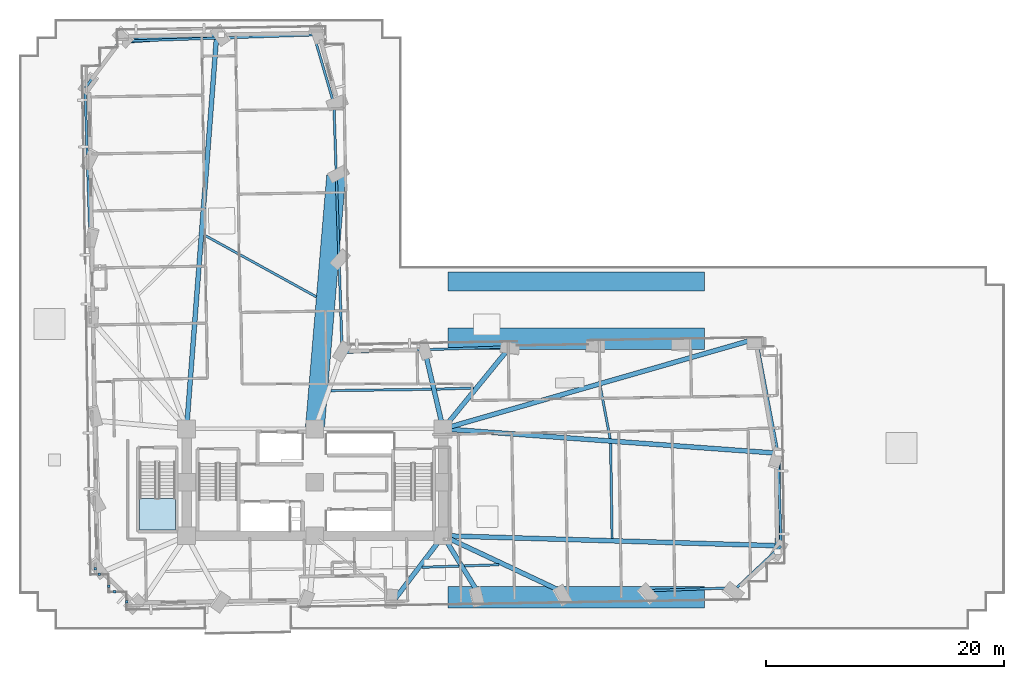
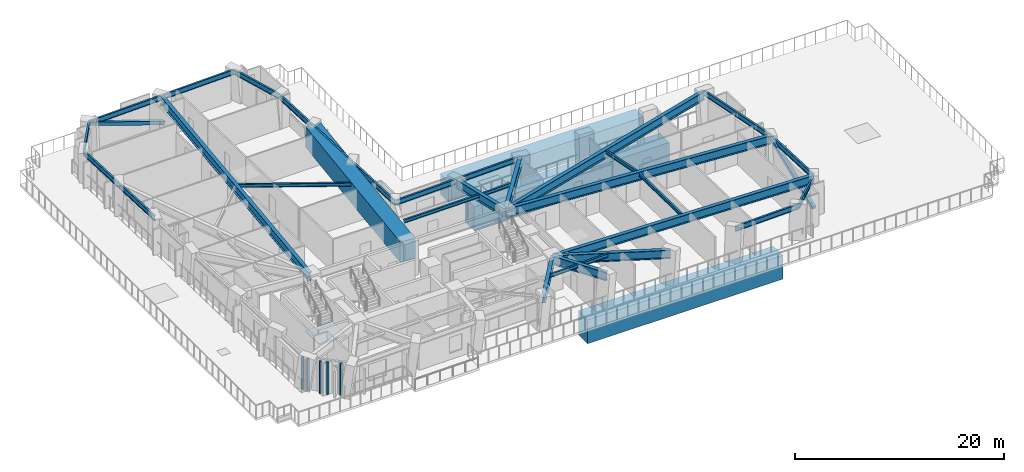
# One storey, part 2 of 17: 35 beams, 5 plates, 2 members, 1 slab, 1 element without a shape of its own.
"""IFC4 building model written with IfcOpenShell, lengths in metres."""

from ifc_helpers import new_model, si_unit, direction, frame, origin, origin_2d, place, context, subcontext, project, spatial, polyline, rectangle, hollow_rectangle, i_section, outline, extrude, material, layer, layer_set, material_profile, profile_set, type_object, element, aggregate, save


model = new_model("IFC4")

# Units and contexts
model_context = context("Model", 3, precision=1e-05, world=origin(), true_north=direction((0.0, 1.0)))
body_context = subcontext(model_context, "Body", "Model", "MODEL_VIEW")
ifc_project = project(units=[si_unit("LENGTHUNIT", "METRE"), si_unit("AREAUNIT", "SQUARE_METRE"), si_unit("VOLUMEUNIT", "CUBIC_METRE"), si_unit("PLANEANGLEUNIT", "RADIAN"), si_unit("MASSUNIT", "GRAM", prefix="KILO")], contexts=[model_context])

# Site, building, storey
site_placement = place(None, origin())
site = spatial("IfcSite", under=ifc_project, at=site_placement, CompositionType="ELEMENT")
building_placement = place(site_placement, origin())
building = spatial("IfcBuilding", under=site, at=building_placement, Name="Gaonmaruhae Medical Tower", CompositionType="ELEMENT")
storey_placement = place(building_placement, frame((0.0, 0.0, 27.0)))
storey = spatial("IfcBuildingStorey", under=building, at=storey_placement, Name="L05", CompositionType="ELEMENT", Elevation=27.0)

# Beams
ifc_material_1 = material(Name="Steel SM420", Category="steel")
ifc_material_profile_1 = material_profile(ifc_material_1, i_section(OverallWidth=0.39990234375, OverallDepth=1.0, WebThickness=0.02197265625, FlangeThickness=0.035888671875, at=origin_2d()), Name="BH-1000x400x22x36")
ifc_profile_set_1 = profile_set([ifc_material_profile_1], Name="Steel SM420")
beam_type_1 = type_object("IfcBeamType", Name="BG-02 Refuge Floor Primary Girder (BH-1000x400x22x36)", PredefinedType="BEAM", material=ifc_profile_set_1)
beam_1_placement = place(storey_placement, frame((35.569580078125, 7.76025390625, 3.260009765625), z_axis=(-0.605971894847, -0.795486054344, 0.0), x_axis=(0.795486054344, -0.605971894847, 0.0)))
element("IfcBeam", 1, at=beam_1_placement, inside=storey, type_object=beam_type_1, Name="L05 Radial Primary Girder S04", PredefinedType="BEAM", context=body_context, shape_type="SweptSolid", body=[
    extrude(i_section(OverallWidth=0.39990234375, OverallDepth=1.0, WebThickness=0.02197265625, FlangeThickness=0.035888671875, at=origin_2d()), origin(), (0.0, 0.0, 1.0), 6.60107421875),
])
beam_2_placement = place(storey_placement, frame((35.626220703125, 7.75732421875, 3.280029296875), z_axis=(0.524317500646, -0.851522846738, 0.0), x_axis=(0.851522846738, 0.524317500646, 0.0)))
element("IfcBeam", 2, at=beam_2_placement, inside=storey, type_object=beam_type_1, Name="L05 Radial Primary Girder S05", PredefinedType="BEAM", context=body_context, shape_type="SweptSolid", body=[
    extrude(i_section(OverallWidth=0.39990234375, OverallDepth=1.0, WebThickness=0.02197265625, FlangeThickness=0.035888671875, at=origin_2d()), origin(), (0.0, 0.0, 1.0), 5.879638671875),
])
beam_3_placement = place(storey_placement, frame((35.645263671875, 7.77880859375, 3.280029296875), z_axis=(0.905103595677, -0.425191111258, 0.0), x_axis=(0.425191111258, 0.905103595677, 0.0)))
element("IfcBeam", 3, at=beam_3_placement, inside=storey, type_object=beam_type_1, Name="L05 Radial Primary Girder S06", PredefinedType="BEAM", context=body_context, shape_type="SweptSolid", body=[
    extrude(i_section(OverallWidth=0.39990234375, OverallDepth=1.0, WebThickness=0.02197265625, FlangeThickness=0.035888671875, at=origin_2d()), origin(), (0.0, 0.0, 1.0), 11.314453125),
])
beam_4_placement = place(storey_placement, frame((35.64990234375, 7.798583984375, 3.280029296875), z_axis=(0.999554346381, -0.029851442682, 0.0), x_axis=(0.029851442682, 0.999554346381, 0.0)))
element("IfcBeam", 4, at=beam_4_placement, inside=storey, type_object=beam_type_1, Name="L05 Radial Primary Girder E01", PredefinedType="BEAM", context=body_context, shape_type="SweptSolid", body=[
    extrude(i_section(OverallWidth=0.39990234375, OverallDepth=1.0, WebThickness=0.02197265625, FlangeThickness=0.035888671875, at=origin_2d()), origin(), (0.0, 0.0, 1.0), 28.371337890625),
])
beam_5_placement = place(storey_placement, frame((35.64990234375, 16.79638671875, 3.280029296875), z_axis=(0.997357512727, -0.07264978876, 0.0), x_axis=(0.07264978876, 0.997357512727, 0.0)))
element("IfcBeam", 5, at=beam_5_placement, inside=storey, type_object=beam_type_1, Name="L05 Radial Primary Girder E02", PredefinedType="BEAM", context=body_context, shape_type="SweptSolid", body=[
    extrude(i_section(OverallWidth=0.39990234375, OverallDepth=1.0, WebThickness=0.02197265625, FlangeThickness=0.035888671875, at=origin_2d()), origin(), (0.0, 0.0, 1.0), 28.174560546875),
])
beam_6_placement = place(storey_placement, frame((35.64794921875, 16.813720703125, 3.280029296875), z_axis=(0.961003140383, 0.276537455283, 0.0), x_axis=(-0.276537455283, 0.961003140383, 0.0)))
element("IfcBeam", 6, at=beam_6_placement, inside=storey, type_object=beam_type_1, Name="L05 Radial Primary Girder E03", PredefinedType="BEAM", context=body_context, shape_type="SweptSolid", body=[
    extrude(i_section(OverallWidth=0.39990234375, OverallDepth=1.0, WebThickness=0.02197265625, FlangeThickness=0.035888671875, at=origin_2d()), origin(), (0.0, 0.0, 1.0), 27.349853515625),
])
beam_7_placement = place(storey_placement, frame((35.631591796875, 16.838623046875, 3.280029296875), z_axis=(0.632758029161, 0.774349582896, 0.0), x_axis=(-0.774349582896, 0.632758029161, 0.0)))
element("IfcBeam", 7, at=beam_7_placement, inside=storey, type_object=beam_type_1, Name="L05 Radial Primary Girder EN03", PredefinedType="BEAM", context=body_context, shape_type="SweptSolid", body=[
    extrude(i_section(OverallWidth=0.39990234375, OverallDepth=1.0, WebThickness=0.02197265625, FlangeThickness=0.035888671875, at=origin_2d()), origin(), (0.0, 0.0, 1.0), 8.814453125),
])
beam_8_placement = place(storey_placement, frame((35.588623046875, 16.8486328125, 3.280029296875), z_axis=(-0.22729943214, 0.973824916578, 0.0), x_axis=(-0.973824916578, -0.22729943214, 0.0)))
element("IfcBeam", 8, at=beam_8_placement, inside=storey, type_object=beam_type_1, Name="L05 Radial Primary Girder EN04", PredefinedType="BEAM", context=body_context, shape_type="SweptSolid", body=[
    extrude(i_section(OverallWidth=0.39990234375, OverallDepth=1.0, WebThickness=0.02197265625, FlangeThickness=0.035888671875, at=origin_2d()), origin(), (0.0, 0.0, 1.0), 6.7431640625),
])
beam_9_placement = place(storey_placement, frame((14.00390625, 16.849853515625, 3.280029296875), z_axis=(0.076225966693, 0.997090568605, 0.0), x_axis=(-0.997090568605, 0.076225966693, 0.0)))
element("IfcBeam", 9, at=beam_9_placement, inside=storey, type_object=beam_type_1, Name="L05 Radial Primary Girder N02", PredefinedType="BEAM", context=body_context, shape_type="SweptSolid", body=[
    extrude(i_section(OverallWidth=0.39990234375, OverallDepth=1.0, WebThickness=0.02197265625, FlangeThickness=0.035888671875, at=origin_2d()), origin(), (0.0, 0.0, 1.0), 32.893310546875),
])
ifc_material_2 = material(Name="Steel SM355", Category="steel")
ifc_material_profile_2 = material_profile(ifc_material_2, i_section(OverallWidth=0.199951171875, OverallDepth=0.39990234375, WebThickness=0.008056640625, FlangeThickness=0.012939453125, FilletRadius=0.012939453125, at=origin_2d()), Name="H-400x200x8x13")
ifc_profile_set_2 = profile_set([ifc_material_profile_2], Name="Steel SM355")
beam_type_2 = type_object("IfcBeamType", Name="FJ-01 Lower Zone Ward Floor Joist (H-400x200x8x13)", PredefinedType="JOIST", material=ifc_profile_set_2)
beam_10_placement = place(storey_placement, frame((33.83349609375, 5.1435546875, 3.580078125), z_axis=(0.999450052759, 0.033160097109, 0.0), x_axis=(-0.033160097109, 0.999450052759, 0.0)))
element("IfcBeam", 10, at=beam_10_placement, inside=storey, type_object=beam_type_2, Name="L05 Secondary Floor Joist FJ04", PredefinedType="JOIST", context=body_context, shape_type="SweptSolid", body=[
    extrude(i_section(OverallWidth=0.199951171875, OverallDepth=0.39990234375, WebThickness=0.008056640625, FlangeThickness=0.012939453125, FilletRadius=0.012939453125, at=origin_2d()), origin(), (0.0, 0.0, 1.0), 3.099609375),
])
beam_11_placement = place(storey_placement, frame((37.40380859375, 5.261962890625, 3.580078125), z_axis=(0.999451018624, 0.033130972993, 0.0), x_axis=(-0.033130972993, 0.999451018624, 0.0)))
element("IfcBeam", 11, at=beam_11_placement, inside=storey, type_object=beam_type_2, Name="L05 Secondary Floor Joist FJ05", PredefinedType="JOIST", context=body_context, shape_type="SweptSolid", body=[
    extrude(i_section(OverallWidth=0.199951171875, OverallDepth=0.39990234375, WebThickness=0.008056640625, FlangeThickness=0.012939453125, FilletRadius=0.012939453125, at=origin_2d()), origin(), (0.0, 0.0, 1.0), 2.918212890625),
])
beam_12_placement = place(storey_placement, frame((49.826171875, 7.581298828125, 3.580078125), z_axis=(-0.015408187139, 0.999881286838, 0.0), x_axis=(-0.999881286838, -0.015408187139, 0.0)))
element("IfcBeam", 12, at=beam_12_placement, inside=storey, type_object=beam_type_2, Name="L05 Secondary Floor Joist FJ07", PredefinedType="JOIST", context=body_context, shape_type="SweptSolid", body=[
    extrude(i_section(OverallWidth=0.199951171875, OverallDepth=0.39990234375, WebThickness=0.008056640625, FlangeThickness=0.012939453125, FilletRadius=0.012939453125, at=origin_2d()), origin(), (0.0, 0.0, 1.0), 7.98583984375),
])
beam_13_placement = place(storey_placement, frame((49.660400390625, 15.982177734375, 3.580078125), z_axis=(-0.18550697294, 0.982642947866, 0.0), x_axis=(-0.982642947866, -0.18550697294, 0.0)))
element("IfcBeam", 13, at=beam_13_placement, inside=storey, type_object=beam_type_2, Name="L05 Secondary Floor Joist FJ08", PredefinedType="JOIST", context=body_context, shape_type="SweptSolid", body=[
    extrude(i_section(OverallWidth=0.199951171875, OverallDepth=0.39990234375, WebThickness=0.008056640625, FlangeThickness=0.012939453125, FilletRadius=0.012939453125, at=origin_2d()), origin(), (0.0, 0.0, 1.0), 4.48779296875),
])
beam_14_placement = place(storey_placement, frame((38.14892578125, 20.242431640625, 3.580078125), z_axis=(-0.999448983086, -0.033192321519, 0.0), x_axis=(0.033192321519, -0.999448983086, 0.0)))
element("IfcBeam", 14, at=beam_14_placement, inside=storey, type_object=beam_type_2, Name="L05 Secondary Floor Joist FJ10", PredefinedType="JOIST", context=body_context, shape_type="SweptSolid", body=[
    extrude(i_section(OverallWidth=0.199951171875, OverallDepth=0.39990234375, WebThickness=0.008056640625, FlangeThickness=0.012939453125, FilletRadius=0.012939453125, at=origin_2d()), origin(), (0.0, 0.0, 1.0), 3.11865234375),
])
beam_15_placement = place(storey_placement, frame((34.611572265625, 20.129150390625, 3.580078125), z_axis=(-0.999915728164, -0.012982163547, 0.0), x_axis=(0.012982163547, -0.999915728164, 0.0)))
element("IfcBeam", 15, at=beam_15_placement, inside=storey, type_object=beam_type_2, Name="L05 Secondary Floor Joist FJ11", PredefinedType="JOIST", context=body_context, shape_type="SweptSolid", body=[
    extrude(i_section(OverallWidth=0.199951171875, OverallDepth=0.39990234375, WebThickness=0.008056640625, FlangeThickness=0.012939453125, FilletRadius=0.012939453125, at=origin_2d()), origin(), (0.0, 0.0, 1.0), 8.44384765625),
])
beam_16_placement = place(storey_placement, frame((24.928955078125, 27.913818359375, 3.580078125), z_axis=(-0.875616846131, 0.483006354794, 0.0), x_axis=(-0.483006354794, -0.875616846131, 0.0)))
element("IfcBeam", 16, at=beam_16_placement, inside=storey, type_object=beam_type_2, Name="L05 Secondary Floor Joist FJ13", PredefinedType="JOIST", context=body_context, shape_type="SweptSolid", body=[
    extrude(i_section(OverallWidth=0.199951171875, OverallDepth=0.39990234375, WebThickness=0.008056640625, FlangeThickness=0.012939453125, FilletRadius=0.012939453125, at=origin_2d()), origin(), (0.0, 0.0, 1.0), 10.8193359375),
])

# Members
ifc_material_profile_3 = material_profile(ifc_material_1, hollow_rectangle(XDim=0.39990234375, YDim=0.39990234375, WallThickness=0.01611328125, at=origin_2d()), Name="RHS-400x400x16")
ifc_profile_set_3 = profile_set([ifc_material_profile_3], Name="Steel SM420")
member_type = type_object("IfcMemberType", Name="PB-01 Perimeter Solid-Bay Tube Brace Lower (RHS-400x400x16)", PredefinedType="BRACE", material=ifc_profile_set_3)
member_1_placement = place(storey_placement, frame((63.758544921875, 6.447509765625, 0.25), z_axis=(0.004651257277, 0.929977852074, 0.367586126585), x_axis=(-0.999987492878, 0.005001408467, 0.0)))
element("IfcMember", 17, at=member_1_placement, inside=storey, type_object=member_type, Name="L05 Perimeter Tube Solid-Bay Brace E01-E02", PredefinedType="BRACE", context=body_context, shape_type="SweptSolid", body=[
    extrude(hollow_rectangle(XDim=0.39990234375, YDim=0.39990234375, WallThickness=0.01611328125, at=origin_2d()), origin(), (0.0, 0.0, 1.0), 8.923095703125),
])
member_2_placement = place(storey_placement, frame((16.93017578125, 49.97705078125, 0.25), z_axis=(-0.932823913233, -0.059774364, 0.355340079795), x_axis=(0.063947782355, -0.997953245965, 0.0)))
element("IfcMember", 18, at=member_2_placement, inside=storey, type_object=member_type, Name="L05 Perimeter Tube Solid-Bay Brace N02-N03", PredefinedType="BRACE", context=body_context, shape_type="SweptSolid", body=[
    extrude(hollow_rectangle(XDim=0.39990234375, YDim=0.39990234375, WallThickness=0.01611328125, at=origin_2d()), origin(), (0.0, 0.0, 1.0), 9.230712890625),
])

# Beams
ifc_material_profile_4 = material_profile(ifc_material_2, i_section(OverallWidth=0.199951171875, OverallDepth=0.60009765625, WebThickness=0.010986328125, FlangeThickness=0.01708984375, FilletRadius=0.012939453125, at=origin_2d()), Name="H-600x200x11x17")
ifc_profile_set_4 = profile_set([ifc_material_profile_4], Name="Steel SM355")
beam_type_3 = type_object("IfcBeamType", Name="SP-01 Lower Perimeter Spandrel Beam (H-600x200x11x17)", PredefinedType="SPANDREL", material=ifc_profile_set_4)
beam_17_placement = place(storey_placement, frame((53.167236328125, 3.186767578125, 3.47998046875), z_axis=(0.999450146342, 0.033157276366, 0.0), x_axis=(-0.033157276366, 0.999450146342, 0.0)))
element("IfcBeam", 19, at=beam_17_placement, inside=storey, type_object=beam_type_3, Name="L05 Perimeter Spandrel Beam S07-S08", PredefinedType="SPANDREL", context=body_context, shape_type="SweptSolid", body=[
    extrude(i_section(OverallWidth=0.199951171875, OverallDepth=0.60009765625, WebThickness=0.010986328125, FlangeThickness=0.01708984375, FilletRadius=0.012939453125, at=origin_2d()), origin(), (0.0, 0.0, 1.0), 7.1201171875),
])
beam_18_placement = place(storey_placement, frame((60.3525390625, 3.45166015625, 3.47998046875), z_axis=(0.727188538265, 0.686437782917, 0.0), x_axis=(-0.686437782917, 0.727188538265, 0.0)))
element("IfcBeam", 20, at=beam_18_placement, inside=storey, type_object=beam_type_3, Name="L05 Perimeter Spandrel Beam S08-E01", PredefinedType="SPANDREL", context=body_context, shape_type="SweptSolid", body=[
    extrude(i_section(OverallWidth=0.199951171875, OverallDepth=0.60009765625, WebThickness=0.010986328125, FlangeThickness=0.01708984375, FilletRadius=0.012939453125, at=origin_2d()), origin(), (0.0, 0.0, 1.0), 5.056396484375),
])
beam_19_placement = place(storey_placement, frame((64.05712890625, 6.989990234375, 3.47998046875), z_axis=(-0.033142142748, 0.999450648293, 0.0), x_axis=(-0.999450648293, -0.033142142748, 0.0)))
element("IfcBeam", 21, at=beam_19_placement, inside=storey, type_object=beam_type_3, Name="L05 Perimeter Spandrel Beam E01-E02", PredefinedType="SPANDREL", context=body_context, shape_type="SweptSolid", body=[
    extrude(i_section(OverallWidth=0.199951171875, OverallDepth=0.60009765625, WebThickness=0.010986328125, FlangeThickness=0.01708984375, FilletRadius=0.012939453125, at=origin_2d()), origin(), (0.0, 0.0, 1.0), 7.719970703125),
])
beam_20_placement = place(storey_placement, frame((63.79248046875, 14.78515625, 3.47998046875), z_axis=(-0.185504266264, 0.982643458838, 0.0), x_axis=(-0.982643458838, -0.185504266264, 0.0)))
element("IfcBeam", 22, at=beam_20_placement, inside=storey, type_object=beam_type_3, Name="L05 Perimeter Spandrel Beam E02-E03", PredefinedType="SPANDREL", context=body_context, shape_type="SweptSolid", body=[
    extrude(i_section(OverallWidth=0.199951171875, OverallDepth=0.60009765625, WebThickness=0.010986328125, FlangeThickness=0.01708984375, FilletRadius=0.012939453125, at=origin_2d()), origin(), (0.0, 0.0, 1.0), 9.735107421875),
])
beam_21_placement = place(storey_placement, frame((41.20068359375, 23.701416015625, 3.47998046875), z_axis=(-0.999450146342, -0.033157276366, 0.0), x_axis=(0.033157276366, -0.999450146342, 0.0)))
element("IfcBeam", 23, at=beam_21_placement, inside=storey, type_object=beam_type_3, Name="L05 Perimeter Spandrel Beam EN03-EN04", PredefinedType="SPANDREL", context=body_context, shape_type="SweptSolid", body=[
    extrude(i_section(OverallWidth=0.199951171875, OverallDepth=0.60009765625, WebThickness=0.010986328125, FlangeThickness=0.01708984375, FilletRadius=0.012939453125, at=origin_2d()), origin(), (0.0, 0.0, 1.0), 7.1201171875),
])
beam_22_placement = place(storey_placement, frame((34.004638671875, 23.462646484375, 3.47998046875), z_axis=(-0.999450179634, -0.033156272849, 0.0), x_axis=(0.033156272849, -0.999450179634, 0.0)))
element("IfcBeam", 24, at=beam_22_placement, inside=storey, type_object=beam_type_3, Name="L05 Perimeter Spandrel Beam EN04-KN01", PredefinedType="SPANDREL", context=body_context, shape_type="SweptSolid", body=[
    extrude(i_section(OverallWidth=0.199951171875, OverallDepth=0.60009765625, WebThickness=0.010986328125, FlangeThickness=0.01708984375, FilletRadius=0.012939453125, at=origin_2d()), origin(), (0.0, 0.0, 1.0), 6.869873046875),
])
beam_23_placement = place(storey_placement, frame((27.096923828125, 23.2734375, 3.47998046875), z_axis=(-0.033134661882, 0.999450896334, 0.0), x_axis=(-0.999450896334, -0.033134661882, 0.0)))
element("IfcBeam", 25, at=beam_23_placement, inside=storey, type_object=beam_type_3, Name="L05 Perimeter Spandrel Beam KN01-NE01", PredefinedType="SPANDREL", context=body_context, shape_type="SweptSolid", body=[
    extrude(i_section(OverallWidth=0.199951171875, OverallDepth=0.60009765625, WebThickness=0.010986328125, FlangeThickness=0.01708984375, FilletRadius=0.012939453125, at=origin_2d()), origin(), (0.0, 0.0, 1.0), 7.670166015625),
])
beam_24_placement = place(storey_placement, frame((26.840087890625, 31.019287109375, 3.47998046875), z_axis=(-0.033157276366, 0.999450146342, 0.0), x_axis=(-0.999450146342, -0.033157276366, 0.0)))
element("IfcBeam", 26, at=beam_24_placement, inside=storey, type_object=beam_type_3, Name="L05 Perimeter Spandrel Beam NE01-NE02", PredefinedType="SPANDREL", context=body_context, shape_type="SweptSolid", body=[
    extrude(i_section(OverallWidth=0.199951171875, OverallDepth=0.60009765625, WebThickness=0.010986328125, FlangeThickness=0.01708984375, FilletRadius=0.012939453125, at=origin_2d()), origin(), (0.0, 0.0, 1.0), 7.1201171875),
])
beam_25_placement = place(storey_placement, frame((26.601318359375, 38.21533203125, 3.47998046875), z_axis=(-0.033156918803, 0.999450158205, 0.0), x_axis=(-0.999450158205, -0.033156918803, 0.0)))
element("IfcBeam", 27, at=beam_25_placement, inside=storey, type_object=beam_type_3, Name="L05 Perimeter Spandrel Beam NE02-NE03", PredefinedType="SPANDREL", context=body_context, shape_type="SweptSolid", body=[
    extrude(i_section(OverallWidth=0.199951171875, OverallDepth=0.60009765625, WebThickness=0.010986328125, FlangeThickness=0.01708984375, FilletRadius=0.012939453125, at=origin_2d()), origin(), (0.0, 0.0, 1.0), 5.919921875),
])
beam_26_placement = place(storey_placement, frame((26.392578125, 44.21044921875, 3.47998046875), z_axis=(-0.280349231965, 0.959898071743, 0.0), x_axis=(-0.959898071743, -0.280349231965, 0.0)))
element("IfcBeam", 28, at=beam_26_placement, inside=storey, type_object=beam_type_3, Name="L05 Perimeter Spandrel Beam NE03-N01", PredefinedType="SPANDREL", context=body_context, shape_type="SweptSolid", body=[
    extrude(i_section(OverallWidth=0.199951171875, OverallDepth=0.60009765625, WebThickness=0.010986328125, FlangeThickness=0.01708984375, FilletRadius=0.012939453125, at=origin_2d()), origin(), (0.0, 0.0, 1.0), 5.959228515625),
])
for number, where, z_axis, x_axis, name in (
    (29, (24.670654296875, 49.9677734375, 3.47998046875), (-0.999449934486, -0.033163661675, 0.0), (0.033163661675, -0.999449934486, 0.0), "L05 Perimeter Spandrel Beam N01-N02"),
    (30, (16.47509765625, 49.69580078125, 3.47998046875), (-0.999450930612, -0.033133627915, 0.0), (0.033133627915, -0.999450930612, 0.0), "L05 Perimeter Spandrel Beam N02-N03"),
):
    element("IfcBeam", number, at=place(storey_placement, frame(where, z_axis=z_axis, x_axis=x_axis)), inside=storey, type_object=beam_type_3, Name=name, PredefinedType="SPANDREL", context=body_context, shape_type="SweptSolid", body=[
        extrude(i_section(OverallWidth=0.199951171875, OverallDepth=0.60009765625, WebThickness=0.010986328125, FlangeThickness=0.01708984375, FilletRadius=0.012939453125, at=origin_2d()), origin(), (0.0, 0.0, 1.0), 8.119873046875),
    ])
beam_27_placement = place(storey_placement, frame((8.296142578125, 49.39306640625, 3.47998046875), z_axis=(-0.588153555753, -0.808749278117, 0.0), x_axis=(0.808749278117, -0.588153555753, 0.0)))
element("IfcBeam", 31, at=beam_27_placement, inside=storey, type_object=beam_type_3, Name="L05 Perimeter Spandrel Beam N03-W01", PredefinedType="SPANDREL", context=body_context, shape_type="SweptSolid", body=[
    extrude(i_section(OverallWidth=0.199951171875, OverallDepth=0.60009765625, WebThickness=0.010986328125, FlangeThickness=0.01708984375, FilletRadius=0.012939453125, at=origin_2d()), origin(), (0.0, 0.0, 1.0), 4.801025390625),
])
beam_28_placement = place(storey_placement, frame((5.4501953125, 45.43798828125, 3.47998046875), z_axis=(0.033183631893, -0.999449271636, 0.0), x_axis=(0.999449271636, 0.033183631893, 0.0)))
element("IfcBeam", 32, at=beam_28_placement, inside=storey, type_object=beam_type_3, Name="L05 Perimeter Spandrel Beam W01-W02", PredefinedType="SPANDREL", context=body_context, shape_type="SweptSolid", body=[
    extrude(i_section(OverallWidth=0.199951171875, OverallDepth=0.60009765625, WebThickness=0.010986328125, FlangeThickness=0.01708984375, FilletRadius=0.012939453125, at=origin_2d()), origin(), (0.0, 0.0, 1.0), 6.31982421875),
])
beam_29_placement = place(storey_placement, frame((5.662353515625, 39.04150390625, 3.47998046875), z_axis=(0.033176436488, -0.999449510512, 0.0), x_axis=(0.999449510512, 0.033176436488, 0.0)))
element("IfcBeam", 33, at=beam_29_placement, inside=storey, type_object=beam_type_3, Name="L05 Perimeter Spandrel Beam W02-W03", PredefinedType="SPANDREL", context=body_context, shape_type="SweptSolid", body=[
    extrude(i_section(OverallWidth=0.199951171875, OverallDepth=0.60009765625, WebThickness=0.010986328125, FlangeThickness=0.01708984375, FilletRadius=0.012939453125, at=origin_2d()), origin(), (0.0, 0.0, 1.0), 6.52001953125),
])
ifc_material_3 = material(Name="Concrete C60/75", Category="concrete")
ifc_material_profile_5 = material_profile(ifc_material_3, rectangle(XDim=1.60009765625, YDim=2.39990234375, at=origin_2d()), Name="TG-1600x2400")
ifc_profile_set_5 = profile_set([ifc_material_profile_5], Name="Concrete C60/75")
beam_type_4 = type_object("IfcBeamType", Name="TG-01 Portal Arch Exterior Transfer Girder (TG-1600x2400)", PredefinedType="BEAM", material=ifc_profile_set_5)
beam_30_placement = place(storey_placement, frame((36.0, 29.199951171875, -1.5), z_axis=(1.0, 0.0, 0.0), x_axis=(0.0, 1.0, 0.0)))
element("IfcBeam", 34, at=beam_30_placement, inside=storey, type_object=beam_type_4, Name="L05 Portal Arch Continuous Transfer Girder TG03", PredefinedType="BEAM", context=body_context, shape_type="SweptSolid", body=[
    extrude(rectangle(XDim=1.60009765625, YDim=2.39990234375, at=origin_2d()), origin(), (0.0, 0.0, 1.0), 21.60009765625),
])
ifc_material_profile_6 = material_profile(ifc_material_3, rectangle(XDim=1.60009765625, YDim=2.39990234375, at=origin_2d()), Name="TG-1600x2400")
ifc_profile_set_6 = profile_set([ifc_material_profile_6], Name="Concrete C60/75")
beam_type_5 = type_object("IfcBeamType", Name="TG-01I Portal Arch Interior Transfer Girder (TG-1600x2400)", PredefinedType="BEAM", material=ifc_profile_set_6)
beam_31_placement = place(storey_placement, frame((24.80419921875, 16.849853515625, 2.580078125), z_axis=(0.084032437103, 0.996463019642, 0.0), x_axis=(-0.996463019642, 0.084032437103, 0.0)))
element("IfcBeam", 35, at=beam_31_placement, inside=storey, type_object=beam_type_5, Name="L05 Radial Primary Girder NE02", PredefinedType="BEAM", context=body_context, shape_type="SweptSolid", body=[
    extrude(rectangle(XDim=1.60009765625, YDim=2.39990234375, at=origin_2d()), origin(), (0.0, 0.0, 1.0), 21.35107421875),
])
ifc_material_profile_7 = material_profile(ifc_material_3, rectangle(XDim=1.800048828125, YDim=2.800048828125, at=origin_2d()), Name="TG-1800x2800")
ifc_profile_set_7 = profile_set([ifc_material_profile_7], Name="Concrete C60/75")
beam_type_6 = type_object("IfcBeamType", Name="TG-03 Long-Span Setback & Arch Transfer Girder (TG-1800x2800)", PredefinedType="BEAM", material=ifc_profile_set_7)
for number, where, z_axis, x_axis, name in (
    (36, (36.0, 2.6259765625, -1.699951171875), (1.0, 0.0, 0.0), (0.0, 1.0, 0.0), "L05 Portal Arch Continuous Transfer Girder TG01"),
    (37, (36.0, 24.39990234375, -1.699951171875), (1.0, 0.0, 0.0), (0.0, 1.0, 0.0), "L05 Portal Arch Continuous Transfer Girder TG02"),
):
    element("IfcBeam", number, at=place(storey_placement, frame(where, z_axis=z_axis, x_axis=x_axis)), inside=storey, type_object=beam_type_6, Name=name, PredefinedType="BEAM", context=body_context, shape_type="SweptSolid", body=[
        extrude(rectangle(XDim=1.800048828125, YDim=2.800048828125, at=origin_2d()), origin(), (0.0, 0.0, 1.0), 21.60009765625),
    ])

# Plates
ifc_material_4 = material(Name="Anodised aluminium 6063-T6", Category="aluminium")
ifc_layer_1 = layer(ifc_material_4, 0.011962890625)
ifc_layer_set_1 = layer_set([ifc_layer_1], Name="Anodised aluminium 6063-T6")
plate_type = type_object("IfcPlateType", Name="PP-01 Interior Partition Corner Stiffener Plate", PredefinedType="SHEET", material=ifc_layer_set_1)
for number, where, z_axis, x_axis, name in (
    (38, (8.970947265625, 2.22802734375, 0.0), (0.0, 0.0, 1.0), (-0.015672415024, 0.999877180161, 0.0), "L05 Partition Corner Stiffener Plate PLT-L05-JGP-PW009"),
    (39, (7.9365234375, 3.071533203125, 0.0), (0.0, 0.0, 1.0), (-0.999877726623, -0.015637512716, 0.0), "L05 Partition Corner Stiffener Plate PLT-L05-JGP-PW010"),
    (40, (7.448974609375, 3.54296875, 0.0), (0.0, 0.0, 1.0), (-0.016702024318, 0.999860511463, 0.0), "L05 Partition Corner Stiffener Plate PLT-L05-JGP-PW011"),
    (41, (6.651611328125, 4.550048828125, 0.0), (0.0, 0.0, 1.0), (-0.999877453544, -0.015654963872, 0.0), "L05 Partition Corner Stiffener Plate PLT-L05-JGP-PW012"),
    (42, (6.323974609375, 5.02490234375, 0.0), (0.0, 0.0, 1.0), (-0.016667122592, 0.999861093865, 0.0), "L05 Partition Corner Stiffener Plate PLT-L05-JGP-PW013"),
):
    element("IfcPlate", number, at=place(storey_placement, frame(where, z_axis=z_axis, x_axis=x_axis)), inside=storey, type_object=plate_type, Name=name, PredefinedType="SHEET", context=body_context, shape_type="SweptSolid", body=[
        extrude(rectangle(XDim=0.219970703125, YDim=0.219970703125, at=origin_2d()), origin(), (0.0, 0.0, 1.0), 3.780029296875),
    ])

# Stair, slab
ifc_material_5 = material(Name="Concrete C40/50", Category="concrete")
stair_type = type_object("IfcStairType", Name="ST-T2 Zone 1 Escape Dogleg Stair", PredefinedType="TWO_QUARTER_TURN_STAIR", material=ifc_material_5)
stair_placement = place(storey_placement, origin())
stair = element("IfcStair", 43, at=stair_placement, inside=storey, type_object=stair_type, Name="L05 Protected Escape Stair ST-03", PredefinedType="TWO_QUARTER_TURN_STAIR")
ifc_layer_2 = layer(ifc_material_5, 0.199951171875)
ifc_layer_set_2 = layer_set([ifc_layer_2], Name="Concrete C40/50")
slab_type = type_object("IfcSlabType", Name="SL-200 Stair & Ramp Intermediate Concrete Landing", PredefinedType="LANDING", material=ifc_layer_set_2)
slab_placement = place(storey_placement, frame((0.0, 0.0, 1.800048828125)))
slab = element("IfcSlab", 44, at=slab_placement, type_object=slab_type, Name="ST-03 landing 1", PredefinedType="LANDING", context=body_context, shape_type="SweptSolid", body=[
    extrude(outline(polyline([(10.050048828125, 10.919921875), (10.050048828125, 8.300048828125), (13.050048828125, 8.300048828125), (13.050048828125, 10.919921875), (10.050048828125, 10.919921875)])), origin(), (0.0, 0.0, 1.0), 0.199951171875),
])
aggregate(stair, [slab])

save(model, "model.ifc")
